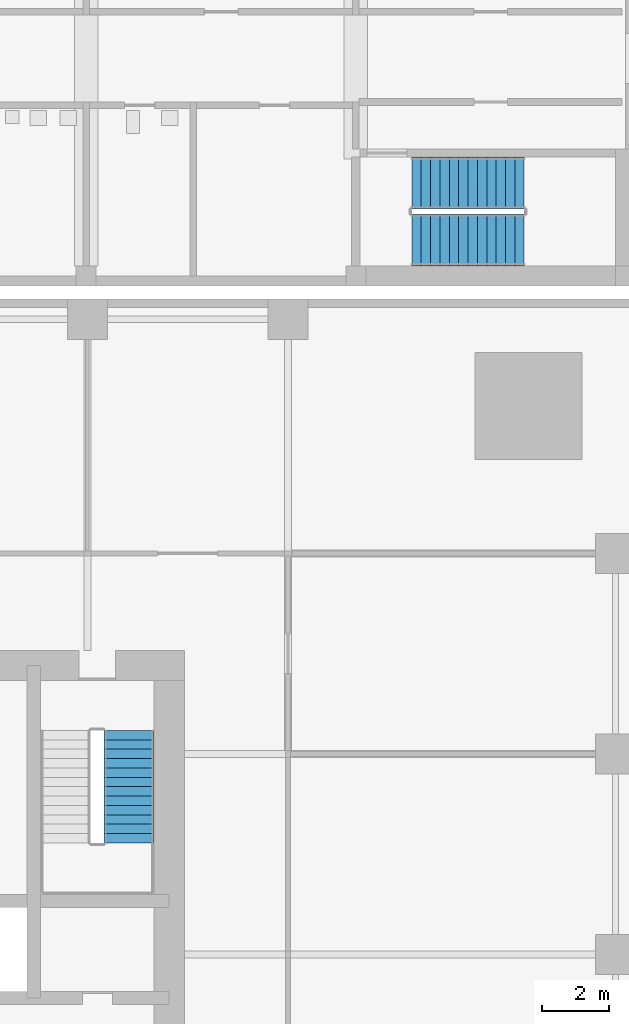
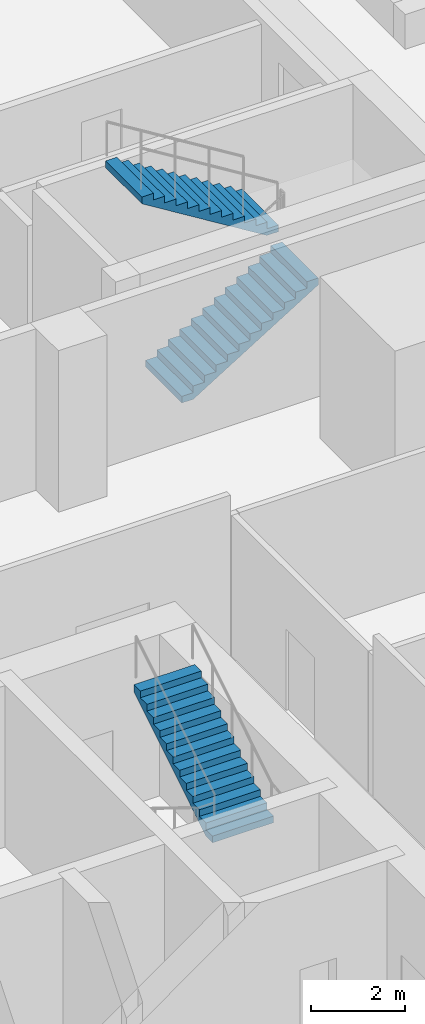
# One storey, part 28 of 34: 3 stair flights, 2 elements without a shape of their own.
"""IFC4 building model written with IfcOpenShell, lengths in metres."""

from ifc_helpers import new_model, si_unit, direction, frame, origin, place, context, subcontext, project, spatial, polyline, outline, extrude, material, type_object, element, aggregate, save


model = new_model("IFC4")

# Units and contexts
model_context = context("Model", 3, precision=1e-05, world=origin(), true_north=direction((0.0, 1.0)))
body_context = subcontext(model_context, "Body", "Model", "MODEL_VIEW")
ifc_project = project(units=[si_unit("LENGTHUNIT", "METRE"), si_unit("AREAUNIT", "SQUARE_METRE"), si_unit("VOLUMEUNIT", "CUBIC_METRE"), si_unit("PLANEANGLEUNIT", "RADIAN"), si_unit("MASSUNIT", "GRAM", prefix="KILO")], contexts=[model_context])

# Site, building, storey
site_placement = place(None, origin())
site = spatial("IfcSite", under=ifc_project, at=site_placement, CompositionType="ELEMENT")
building_placement = place(site_placement, origin())
building = spatial("IfcBuilding", under=site, at=building_placement, Name="Amberfall Residences", CompositionType="ELEMENT")
storey_placement = place(building_placement, frame((0.0, 0.0, 5.5)))
storey = spatial("IfcBuildingStorey", under=building, at=storey_placement, Name="L01", CompositionType="ELEMENT", Elevation=5.5)

# Stair, stair flights
ifc_material = material(Name="Concrete C40", Category="concrete")
stair_type_1 = type_object("IfcStairType", Name="School stair", PredefinedType="HALF_TURN_STAIR", material=ifc_material)
stair_1_placement = place(storey_placement, origin())
stair_1 = element("IfcStair", 1, at=stair_1_placement, inside=storey, type_object=stair_type_1, Name="L01 Stair SS5", PredefinedType="HALF_TURN_STAIR")
stair_flight_type_1 = type_object("IfcStairFlightType", Name="School stair flight", PredefinedType="STRAIGHT", material=ifc_material)
stair_flight_1_placement = place(storey_placement, frame((93.30810546875, 69.77490234375, 0.0), z_axis=(0.0, 0.0, 1.0), x_axis=(1.0, 0.0, 0.0)))
stair_flight_1 = element("IfcStairFlight", 2, at=stair_flight_1_placement, type_object=stair_flight_type_1, Name="SS5 flight 1", NumberOfRisers=13, NumberOfTreads=12, PredefinedType="STRAIGHT", RiserHeight=0.173076923, TreadLength=0.28, context=body_context, shape_type="SweptSolid", body=[
    extrude(outline(polyline([(0.0, 0.0), (0.0, 0.173095703125), (0.280029296875, 0.173095703125), (0.280029296875, 0.34619140625), (0.56005859375, 0.34619140625), (0.56005859375, 0.519287109375), (0.840087890625, 0.519287109375), (0.840087890625, 0.6923828125), (1.1201171875, 0.6923828125), (1.1201171875, 0.865478515625), (1.39990234375, 0.865478515625), (1.39990234375, 1.03857421875), (1.679931640625, 1.03857421875), (1.679931640625, 1.21142578125), (1.9599609375, 1.21142578125), (1.9599609375, 1.384521484375), (2.239990234375, 1.384521484375), (2.239990234375, 1.5576171875), (2.52001953125, 1.5576171875), (2.52001953125, 1.730712890625), (2.800048828125, 1.730712890625), (2.800048828125, 1.90380859375), (3.080078125, 1.90380859375), (3.080078125, 2.076904296875), (3.360107421875, 2.076904296875), (3.360107421875, 2.25), (3.360107421875, 1.900634765625), (0.28515625, 0.0), (0.0, 0.0)])), frame((0.0, 0.77490234375, 0.0), z_axis=(0.0, -1.0, 0.0), x_axis=(1.0, 0.0, 0.0)), (0.0, 0.0, 1.0), 1.550048828125),
])
stair_flight_2_placement = place(storey_placement, frame((96.66796875, 71.47509765625, 2.25), z_axis=(0.0, 0.0, 1.0), x_axis=(-1.0, 0.0, 0.0)))
stair_flight_2 = element("IfcStairFlight", 3, at=stair_flight_2_placement, type_object=stair_flight_type_1, Name="SS5 flight 2", NumberOfRisers=13, NumberOfTreads=12, PredefinedType="STRAIGHT", RiserHeight=0.173076923, TreadLength=0.28, context=body_context, shape_type="SweptSolid", body=[
    extrude(outline(polyline([(0.0, 0.0), (0.0, 0.173095703125), (0.280029296875, 0.173095703125), (0.280029296875, 0.34619140625), (0.56005859375, 0.34619140625), (0.56005859375, 0.519287109375), (0.840087890625, 0.519287109375), (0.840087890625, 0.6923828125), (1.1201171875, 0.6923828125), (1.1201171875, 0.865478515625), (1.39990234375, 0.865478515625), (1.39990234375, 1.03857421875), (1.679931640625, 1.03857421875), (1.679931640625, 1.21142578125), (1.9599609375, 1.21142578125), (1.9599609375, 1.384521484375), (2.239990234375, 1.384521484375), (2.239990234375, 1.5576171875), (2.52001953125, 1.5576171875), (2.52001953125, 1.730712890625), (2.800048828125, 1.730712890625), (2.800048828125, 1.90380859375), (3.080078125, 1.90380859375), (3.080078125, 2.076904296875), (3.360107421875, 2.076904296875), (3.360107421875, 2.25), (3.360107421875, 1.900634765625), (0.28515625, 0.0), (0.0, 0.0)])), frame((0.0, 0.77490234375, 0.0), z_axis=(0.0, -1.0, 0.0), x_axis=(1.0, 0.0, 0.0)), (0.0, 0.0, 1.0), 1.550048828125),
])
aggregate(stair_1, [stair_flight_1, stair_flight_2])

# Stair, stair flight
stair_type_2 = type_object("IfcStairType", Name="Exit stair 26 risers 173.1 mm", PredefinedType="HALF_TURN_STAIR", material=ifc_material)
stair_2_placement = place(storey_placement, origin())
stair_2 = element("IfcStair", 4, at=stair_2_placement, inside=storey, type_object=stair_type_2, Name="L01 Exit stair 3", PredefinedType="HALF_TURN_STAIR")
stair_flight_type_2 = type_object("IfcStairFlightType", Name="Stair flight 13 risers 173.1 mm", PredefinedType="STRAIGHT", material=ifc_material)
stair_flight_3_placement = place(storey_placement, frame((84.85009765625, 51.739990234375, 2.25), z_axis=(0.0, 0.0, 1.0), x_axis=(0.0, 1.0, 0.0)))
stair_flight_3 = element("IfcStairFlight", 5, at=stair_flight_3_placement, type_object=stair_flight_type_2, Name="ST2 flight 2", NumberOfRisers=13, NumberOfTreads=12, PredefinedType="STRAIGHT", RiserHeight=0.173076923, TreadLength=0.28, context=body_context, shape_type="SweptSolid", body=[
    extrude(outline(polyline([(0.0, 0.0), (0.0, 0.173095703125), (0.280029296875, 0.173095703125), (0.280029296875, 0.34619140625), (0.56005859375, 0.34619140625), (0.56005859375, 0.519287109375), (0.840087890625, 0.519287109375), (0.840087890625, 0.6923828125), (1.1201171875, 0.6923828125), (1.1201171875, 0.865478515625), (1.39990234375, 0.865478515625), (1.39990234375, 1.03857421875), (1.679931640625, 1.03857421875), (1.679931640625, 1.21142578125), (1.9599609375, 1.21142578125), (1.9599609375, 1.384521484375), (2.239990234375, 1.384521484375), (2.239990234375, 1.5576171875), (2.52001953125, 1.5576171875), (2.52001953125, 1.730712890625), (2.800048828125, 1.730712890625), (2.800048828125, 1.90380859375), (3.080078125, 1.90380859375), (3.080078125, 2.076904296875), (3.360107421875, 2.076904296875), (3.360107421875, 2.25), (3.360107421875, 1.900634765625), (0.28515625, 0.0), (0.0, 0.0)])), frame((0.0, 0.75, 0.0), z_axis=(0.0, -1.0, 0.0), x_axis=(1.0, 0.0, 0.0)), (0.0, 0.0, 1.0), 1.5),
])
aggregate(stair_2, [stair_flight_3])

save(model, "model.ifc")
